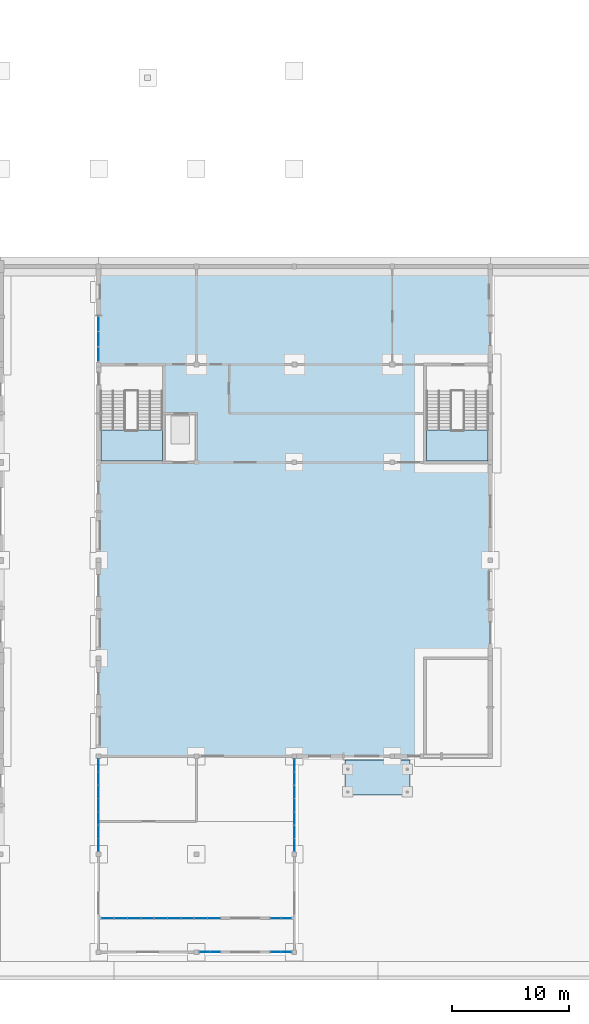
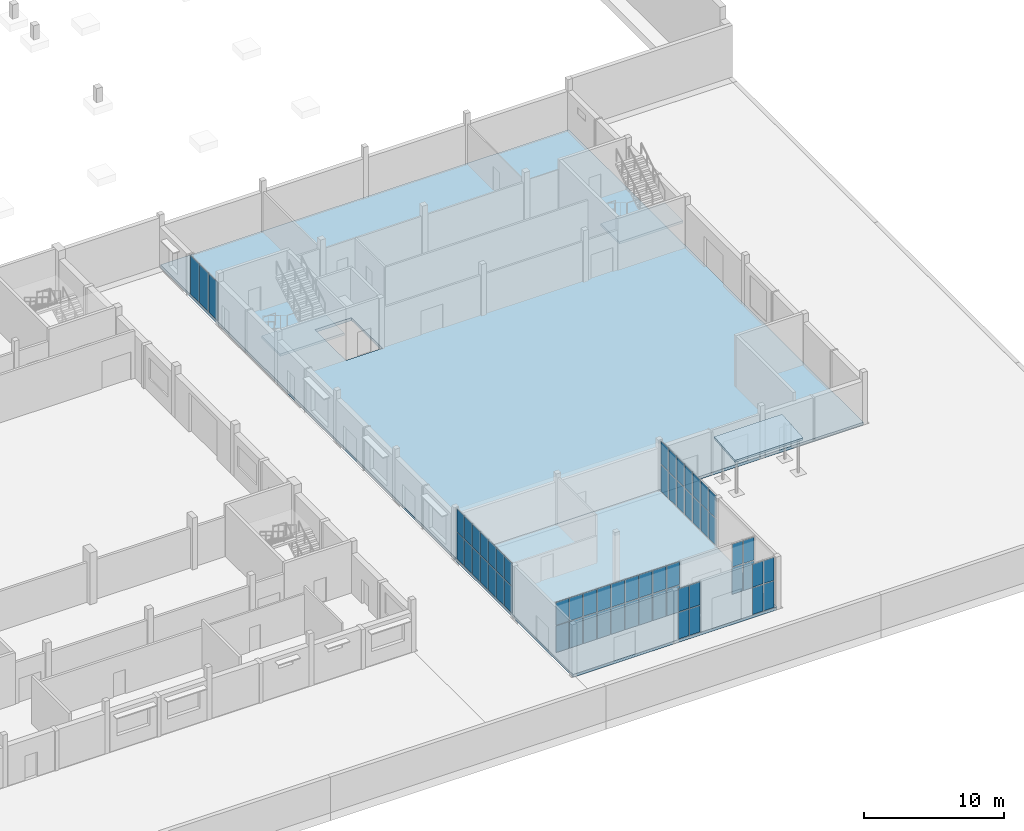
# One storey, part 15 of 36: 61 plates, 5 slabs, 9 elements without a shape of their own.
"""IFC4 building model written with IfcOpenShell, lengths in metres."""

from ifc_helpers import new_model, si_unit, direction, frame, origin, origin_2d, place, context, subcontext, project, spatial, polyline, rectangle, outline, extrude, material, layer, layer_set, type_object, element, aggregate, save


model = new_model("IFC4")

# Units and contexts
model_context = context("Model", 3, precision=1e-05, world=origin(), true_north=direction((0.0, 1.0)))
body_context = subcontext(model_context, "Body", "Model", "MODEL_VIEW")
ifc_project = project(units=[si_unit("LENGTHUNIT", "METRE"), si_unit("AREAUNIT", "SQUARE_METRE"), si_unit("VOLUMEUNIT", "CUBIC_METRE"), si_unit("PLANEANGLEUNIT", "RADIAN"), si_unit("MASSUNIT", "GRAM", prefix="KILO")], contexts=[model_context])

# Site, building, storey
site_placement = place(None, origin())
site = spatial("IfcSite", under=ifc_project, at=site_placement, CompositionType="ELEMENT")
building_placement = place(site_placement, origin())
building = spatial("IfcBuilding", under=site, at=building_placement, Name="Fescue Hill Polytechnic", CompositionType="ELEMENT")
storey_placement = place(building_placement, origin())
storey = spatial("IfcBuildingStorey", under=building, at=storey_placement, Name="L00", CompositionType="ELEMENT", Elevation=0.0)

# Slabs
ifc_material_1 = material(Name="Concrete 35 MPa", Category="concrete")
ifc_layer_1 = layer(ifc_material_1, 0.25)
ifc_layer_set_1 = layer_set([ifc_layer_1], Name="Concrete 35 MPa")
slab_type_1 = type_object("IfcSlabType", Name="Base slab 250", PredefinedType="BASESLAB", material=ifc_layer_set_1)
slab_1_placement = place(storey_placement, frame((0.0, 0.0, -0.25)))
element("IfcSlab", 1, at=slab_1_placement, inside=storey, type_object=slab_type_1, Name="SL-L00-V3-1", PredefinedType="BASESLAB", context=body_context, shape_type="SweptSolid", body=[
    extrude(outline(polyline([(126.0, 8.39990234375), (126.0, 50.39990234375), (159.60009765625, 50.39990234375), (159.60009765625, 8.39990234375), (126.0, 8.39990234375)]), holes=[polyline([(134.5, 37.89990234375), (131.5, 37.89990234375), (131.5, 33.5), (134.5, 33.5), (134.5, 37.89990234375)])]), origin(), (0.0, 0.0, 1.0), 0.25),
])
slab_2_placement = place(storey_placement, frame((0.0, 0.0, -0.25)))
element("IfcSlab", 2, at=slab_2_placement, inside=storey, type_object=slab_type_1, Name="SL-L00-V7-1", PredefinedType="BASESLAB", context=body_context, shape_type="SweptSolid", body=[
    extrude(outline(polyline([(142.800048828125, -8.39990234375), (142.800048828125, 8.39990234375), (126.0, 8.39990234375), (126.0, -8.39990234375), (142.800048828125, -8.39990234375)])), origin(), (0.0, 0.0, 1.0), 0.25),
])
ifc_layer_2 = layer(ifc_material_1, 0.199951171875)
ifc_layer_set_2 = layer_set([ifc_layer_2], Name="Concrete 35 MPa")
slab_type_2 = type_object("IfcSlabType", Name="Entrance canopy slab 200", PredefinedType="ROOF", material=ifc_layer_set_2)
slab_3_placement = place(storey_placement, frame((147.1298828125, 8.090087890625, 3.300048828125), z_axis=(0.0, -0.083045479854, 0.996545758245), x_axis=(1.0, 0.0, 0.0)))
element("IfcSlab", 3, at=slab_3_placement, inside=storey, type_object=slab_type_2, Name="Entrance canopy V3", PredefinedType="ROOF", context=body_context, shape_type="SweptSolid", body=[
    extrude(outline(polyline([(0.0, 0.0), (5.60009765625, 0.0), (5.60009765625, -3.010398644698074), (0.0, -3.010398644698074), (0.0, 0.0)])), origin(), (0.0, 0.0, -1.0), 0.199951171875),
])

# Curtain wall, plates
ifc_material_2 = material(Name="Glass", Category="glass")
curtain_wall_type_1 = type_object("IfcCurtainWallType", Name="Curtain wall structural glazing", PredefinedType="NOTDEFINED", material=ifc_material_2)
curtain_wall_1_placement = place(storey_placement, origin())
curtain_wall_1 = element("IfcCurtainWall", 4, at=curtain_wall_1_placement, inside=storey, type_object=curtain_wall_type_1, Name="CW-L00-V7-1", PredefinedType="NOTDEFINED")
ifc_layer_3 = layer(ifc_material_2, 0.028076171875)
ifc_layer_set_3 = layer_set([ifc_layer_3], Name="Glass")
plate_type_1 = type_object("IfcPlateType", Name="Panel glazing 28", PredefinedType="CURTAIN_PANEL", material=ifc_layer_set_3)
plate_1_placement = place(storey_placement, frame((142.800048828125, 0.786376953125, 0.06005859375), z_axis=(0.0, 0.0, 1.0), x_axis=(0.0, 1.0, 0.0)))
plate_1 = element("IfcPlate", 5, at=plate_1_placement, type_object=plate_type_1, Name="CW37 panel 1.1", PredefinedType="CURTAIN_PANEL", context=body_context, shape_type="SweptSolid", body=[
    extrude(rectangle(XDim=1.052978515625, YDim=0.028076171875, at=origin_2d()), origin(), (0.0, 0.0, 1.0), 2.31005859375),
])
plate_2_placement = place(storey_placement, frame((142.800048828125, 0.786376953125, 2.43017578125), z_axis=(0.0, 0.0, 1.0), x_axis=(0.0, 1.0, 0.0)))
plate_2 = element("IfcPlate", 6, at=plate_2_placement, type_object=plate_type_1, Name="CW37 panel 1.2", PredefinedType="CURTAIN_PANEL", context=body_context, shape_type="SweptSolid", body=[
    extrude(rectangle(XDim=1.052978515625, YDim=0.028076171875, at=origin_2d()), origin(), (0.0, 0.0, 1.0), 1.989990234375),
])
plate_3_placement = place(storey_placement, frame((142.800048828125, 1.914306640625, 0.06005859375), z_axis=(0.0, 0.0, 1.0), x_axis=(0.0, 1.0, 0.0)))
plate_3 = element("IfcPlate", 7, at=plate_3_placement, type_object=plate_type_1, Name="CW37 panel 2.1", PredefinedType="CURTAIN_PANEL", context=body_context, shape_type="SweptSolid", body=[
    extrude(rectangle(XDim=1.082763671875, YDim=0.028076171875, at=origin_2d()), origin(), (0.0, 0.0, 1.0), 2.31005859375),
])
plate_4_placement = place(storey_placement, frame((142.800048828125, 1.914306640625, 2.43017578125), z_axis=(0.0, 0.0, 1.0), x_axis=(0.0, 1.0, 0.0)))
plate_4 = element("IfcPlate", 8, at=plate_4_placement, type_object=plate_type_1, Name="CW37 panel 2.2", PredefinedType="CURTAIN_PANEL", context=body_context, shape_type="SweptSolid", body=[
    extrude(rectangle(XDim=1.082763671875, YDim=0.028076171875, at=origin_2d()), origin(), (0.0, 0.0, 1.0), 1.989990234375),
])
plate_5_placement = place(storey_placement, frame((142.800048828125, 3.05712890625, 0.06005859375), z_axis=(0.0, 0.0, 1.0), x_axis=(0.0, 1.0, 0.0)))
plate_5 = element("IfcPlate", 9, at=plate_5_placement, type_object=plate_type_1, Name="CW37 panel 3.1", PredefinedType="CURTAIN_PANEL", context=body_context, shape_type="SweptSolid", body=[
    extrude(rectangle(XDim=1.082763671875, YDim=0.028076171875, at=origin_2d()), origin(), (0.0, 0.0, 1.0), 2.31005859375),
])
plate_6_placement = place(storey_placement, frame((142.800048828125, 3.05712890625, 2.43017578125), z_axis=(0.0, 0.0, 1.0), x_axis=(0.0, 1.0, 0.0)))
plate_6 = element("IfcPlate", 10, at=plate_6_placement, type_object=plate_type_1, Name="CW37 panel 3.2", PredefinedType="CURTAIN_PANEL", context=body_context, shape_type="SweptSolid", body=[
    extrude(rectangle(XDim=1.082763671875, YDim=0.028076171875, at=origin_2d()), origin(), (0.0, 0.0, 1.0), 1.989990234375),
])
plate_7_placement = place(storey_placement, frame((142.800048828125, 4.199951171875, 0.06005859375), z_axis=(0.0, 0.0, 1.0), x_axis=(0.0, 1.0, 0.0)))
plate_7 = element("IfcPlate", 11, at=plate_7_placement, type_object=plate_type_1, Name="CW37 panel 4.1", PredefinedType="CURTAIN_PANEL", context=body_context, shape_type="SweptSolid", body=[
    extrude(rectangle(XDim=1.082763671875, YDim=0.028076171875, at=origin_2d()), origin(), (0.0, 0.0, 1.0), 2.31005859375),
])
plate_8_placement = place(storey_placement, frame((142.800048828125, 4.199951171875, 2.43017578125), z_axis=(0.0, 0.0, 1.0), x_axis=(0.0, 1.0, 0.0)))
plate_8 = element("IfcPlate", 12, at=plate_8_placement, type_object=plate_type_1, Name="CW37 panel 4.2", PredefinedType="CURTAIN_PANEL", context=body_context, shape_type="SweptSolid", body=[
    extrude(rectangle(XDim=1.082763671875, YDim=0.028076171875, at=origin_2d()), origin(), (0.0, 0.0, 1.0), 1.989990234375),
])
plate_9_placement = place(storey_placement, frame((142.800048828125, 5.3427734375, 0.06005859375), z_axis=(0.0, 0.0, 1.0), x_axis=(0.0, 1.0, 0.0)))
plate_9 = element("IfcPlate", 13, at=plate_9_placement, type_object=plate_type_1, Name="CW37 panel 5.1", PredefinedType="CURTAIN_PANEL", context=body_context, shape_type="SweptSolid", body=[
    extrude(rectangle(XDim=1.082763671875, YDim=0.028076171875, at=origin_2d()), origin(), (0.0, 0.0, 1.0), 2.31005859375),
])
plate_10_placement = place(storey_placement, frame((142.800048828125, 5.3427734375, 2.43017578125), z_axis=(0.0, 0.0, 1.0), x_axis=(0.0, 1.0, 0.0)))
plate_10 = element("IfcPlate", 14, at=plate_10_placement, type_object=plate_type_1, Name="CW37 panel 5.2", PredefinedType="CURTAIN_PANEL", context=body_context, shape_type="SweptSolid", body=[
    extrude(rectangle(XDim=1.082763671875, YDim=0.028076171875, at=origin_2d()), origin(), (0.0, 0.0, 1.0), 1.989990234375),
])
plate_11_placement = place(storey_placement, frame((142.800048828125, 6.485595703125, 0.06005859375), z_axis=(0.0, 0.0, 1.0), x_axis=(0.0, 1.0, 0.0)))
plate_11 = element("IfcPlate", 15, at=plate_11_placement, type_object=plate_type_1, Name="CW37 panel 6.1", PredefinedType="CURTAIN_PANEL", context=body_context, shape_type="SweptSolid", body=[
    extrude(rectangle(XDim=1.082763671875, YDim=0.028076171875, at=origin_2d()), origin(), (0.0, 0.0, 1.0), 2.31005859375),
])
plate_12_placement = place(storey_placement, frame((142.800048828125, 6.485595703125, 2.43017578125), z_axis=(0.0, 0.0, 1.0), x_axis=(0.0, 1.0, 0.0)))
plate_12 = element("IfcPlate", 16, at=plate_12_placement, type_object=plate_type_1, Name="CW37 panel 6.2", PredefinedType="CURTAIN_PANEL", context=body_context, shape_type="SweptSolid", body=[
    extrude(rectangle(XDim=1.082763671875, YDim=0.028076171875, at=origin_2d()), origin(), (0.0, 0.0, 1.0), 1.989990234375),
])
plate_13_placement = place(storey_placement, frame((142.800048828125, 7.613525390625, 0.06005859375), z_axis=(0.0, 0.0, 1.0), x_axis=(0.0, 1.0, 0.0)))
plate_13 = element("IfcPlate", 17, at=plate_13_placement, type_object=plate_type_1, Name="CW37 panel 7.1", PredefinedType="CURTAIN_PANEL", context=body_context, shape_type="SweptSolid", body=[
    extrude(rectangle(XDim=1.052978515625, YDim=0.028076171875, at=origin_2d()), origin(), (0.0, 0.0, 1.0), 2.31005859375),
])
plate_14_placement = place(storey_placement, frame((142.800048828125, 7.613525390625, 2.43017578125), z_axis=(0.0, 0.0, 1.0), x_axis=(0.0, 1.0, 0.0)))
plate_14 = element("IfcPlate", 18, at=plate_14_placement, type_object=plate_type_1, Name="CW37 panel 7.2", PredefinedType="CURTAIN_PANEL", context=body_context, shape_type="SweptSolid", body=[
    extrude(rectangle(XDim=1.052978515625, YDim=0.028076171875, at=origin_2d()), origin(), (0.0, 0.0, 1.0), 1.989990234375),
])
aggregate(curtain_wall_1, [plate_1, plate_2, plate_3, plate_4, plate_5, plate_6, plate_7, plate_8, plate_9, plate_10, plate_11, plate_12, plate_13, plate_14])

curtain_wall_2_placement = place(storey_placement, origin())
curtain_wall_2 = element("IfcCurtainWall", 19, at=curtain_wall_2_placement, inside=storey, type_object=curtain_wall_type_1, Name="CW-L00-V7-2", PredefinedType="NOTDEFINED")
plate_15_placement = place(storey_placement, frame((126.0, 7.613525390625, 0.06005859375), z_axis=(0.0, 0.0, 1.0), x_axis=(0.0, -1.0, 0.0)))
plate_15 = element("IfcPlate", 20, at=plate_15_placement, type_object=plate_type_1, Name="CW38 panel 1.1", PredefinedType="CURTAIN_PANEL", context=body_context, shape_type="SweptSolid", body=[
    extrude(rectangle(XDim=1.052978515625, YDim=0.028076171875, at=origin_2d()), origin(), (0.0, 0.0, 1.0), 2.31005859375),
])
plate_16_placement = place(storey_placement, frame((126.0, 7.613525390625, 2.43017578125), z_axis=(0.0, 0.0, 1.0), x_axis=(0.0, -1.0, 0.0)))
plate_16 = element("IfcPlate", 21, at=plate_16_placement, type_object=plate_type_1, Name="CW38 panel 1.2", PredefinedType="CURTAIN_PANEL", context=body_context, shape_type="SweptSolid", body=[
    extrude(rectangle(XDim=1.052978515625, YDim=0.028076171875, at=origin_2d()), origin(), (0.0, 0.0, 1.0), 1.989990234375),
])
plate_17_placement = place(storey_placement, frame((126.0, 6.485595703125, 0.06005859375), z_axis=(0.0, 0.0, 1.0), x_axis=(0.0, -1.0, 0.0)))
plate_17 = element("IfcPlate", 22, at=plate_17_placement, type_object=plate_type_1, Name="CW38 panel 2.1", PredefinedType="CURTAIN_PANEL", context=body_context, shape_type="SweptSolid", body=[
    extrude(rectangle(XDim=1.082763671875, YDim=0.028076171875, at=origin_2d()), origin(), (0.0, 0.0, 1.0), 2.31005859375),
])
plate_18_placement = place(storey_placement, frame((126.0, 6.485595703125, 2.43017578125), z_axis=(0.0, 0.0, 1.0), x_axis=(0.0, -1.0, 0.0)))
plate_18 = element("IfcPlate", 23, at=plate_18_placement, type_object=plate_type_1, Name="CW38 panel 2.2", PredefinedType="CURTAIN_PANEL", context=body_context, shape_type="SweptSolid", body=[
    extrude(rectangle(XDim=1.082763671875, YDim=0.028076171875, at=origin_2d()), origin(), (0.0, 0.0, 1.0), 1.989990234375),
])
plate_19_placement = place(storey_placement, frame((126.0, 5.3427734375, 0.06005859375), z_axis=(0.0, 0.0, 1.0), x_axis=(0.0, -1.0, 0.0)))
plate_19 = element("IfcPlate", 24, at=plate_19_placement, type_object=plate_type_1, Name="CW38 panel 3.1", PredefinedType="CURTAIN_PANEL", context=body_context, shape_type="SweptSolid", body=[
    extrude(rectangle(XDim=1.082763671875, YDim=0.028076171875, at=origin_2d()), origin(), (0.0, 0.0, 1.0), 2.31005859375),
])
plate_20_placement = place(storey_placement, frame((126.0, 5.3427734375, 2.43017578125), z_axis=(0.0, 0.0, 1.0), x_axis=(0.0, -1.0, 0.0)))
plate_20 = element("IfcPlate", 25, at=plate_20_placement, type_object=plate_type_1, Name="CW38 panel 3.2", PredefinedType="CURTAIN_PANEL", context=body_context, shape_type="SweptSolid", body=[
    extrude(rectangle(XDim=1.082763671875, YDim=0.028076171875, at=origin_2d()), origin(), (0.0, 0.0, 1.0), 1.989990234375),
])
plate_21_placement = place(storey_placement, frame((126.0, 4.199951171875, 0.06005859375), z_axis=(0.0, 0.0, 1.0), x_axis=(0.0, -1.0, 0.0)))
plate_21 = element("IfcPlate", 26, at=plate_21_placement, type_object=plate_type_1, Name="CW38 panel 4.1", PredefinedType="CURTAIN_PANEL", context=body_context, shape_type="SweptSolid", body=[
    extrude(rectangle(XDim=1.082763671875, YDim=0.028076171875, at=origin_2d()), origin(), (0.0, 0.0, 1.0), 2.31005859375),
])
plate_22_placement = place(storey_placement, frame((126.0, 4.199951171875, 2.43017578125), z_axis=(0.0, 0.0, 1.0), x_axis=(0.0, -1.0, 0.0)))
plate_22 = element("IfcPlate", 27, at=plate_22_placement, type_object=plate_type_1, Name="CW38 panel 4.2", PredefinedType="CURTAIN_PANEL", context=body_context, shape_type="SweptSolid", body=[
    extrude(rectangle(XDim=1.082763671875, YDim=0.028076171875, at=origin_2d()), origin(), (0.0, 0.0, 1.0), 1.989990234375),
])
plate_23_placement = place(storey_placement, frame((126.0, 3.05712890625, 0.06005859375), z_axis=(0.0, 0.0, 1.0), x_axis=(0.0, -1.0, 0.0)))
plate_23 = element("IfcPlate", 28, at=plate_23_placement, type_object=plate_type_1, Name="CW38 panel 5.1", PredefinedType="CURTAIN_PANEL", context=body_context, shape_type="SweptSolid", body=[
    extrude(rectangle(XDim=1.082763671875, YDim=0.028076171875, at=origin_2d()), origin(), (0.0, 0.0, 1.0), 2.31005859375),
])
plate_24_placement = place(storey_placement, frame((126.0, 3.05712890625, 2.43017578125), z_axis=(0.0, 0.0, 1.0), x_axis=(0.0, -1.0, 0.0)))
plate_24 = element("IfcPlate", 29, at=plate_24_placement, type_object=plate_type_1, Name="CW38 panel 5.2", PredefinedType="CURTAIN_PANEL", context=body_context, shape_type="SweptSolid", body=[
    extrude(rectangle(XDim=1.082763671875, YDim=0.028076171875, at=origin_2d()), origin(), (0.0, 0.0, 1.0), 1.989990234375),
])
plate_25_placement = place(storey_placement, frame((126.0, 1.914306640625, 0.06005859375), z_axis=(0.0, 0.0, 1.0), x_axis=(0.0, -1.0, 0.0)))
plate_25 = element("IfcPlate", 30, at=plate_25_placement, type_object=plate_type_1, Name="CW38 panel 6.1", PredefinedType="CURTAIN_PANEL", context=body_context, shape_type="SweptSolid", body=[
    extrude(rectangle(XDim=1.082763671875, YDim=0.028076171875, at=origin_2d()), origin(), (0.0, 0.0, 1.0), 2.31005859375),
])
plate_26_placement = place(storey_placement, frame((126.0, 1.914306640625, 2.43017578125), z_axis=(0.0, 0.0, 1.0), x_axis=(0.0, -1.0, 0.0)))
plate_26 = element("IfcPlate", 31, at=plate_26_placement, type_object=plate_type_1, Name="CW38 panel 6.2", PredefinedType="CURTAIN_PANEL", context=body_context, shape_type="SweptSolid", body=[
    extrude(rectangle(XDim=1.082763671875, YDim=0.028076171875, at=origin_2d()), origin(), (0.0, 0.0, 1.0), 1.989990234375),
])
plate_27_placement = place(storey_placement, frame((126.0, 0.786376953125, 0.06005859375), z_axis=(0.0, 0.0, 1.0), x_axis=(0.0, -1.0, 0.0)))
plate_27 = element("IfcPlate", 32, at=plate_27_placement, type_object=plate_type_1, Name="CW38 panel 7.1", PredefinedType="CURTAIN_PANEL", context=body_context, shape_type="SweptSolid", body=[
    extrude(rectangle(XDim=1.052978515625, YDim=0.028076171875, at=origin_2d()), origin(), (0.0, 0.0, 1.0), 2.31005859375),
])
plate_28_placement = place(storey_placement, frame((126.0, 0.786376953125, 2.43017578125), z_axis=(0.0, 0.0, 1.0), x_axis=(0.0, -1.0, 0.0)))
plate_28 = element("IfcPlate", 33, at=plate_28_placement, type_object=plate_type_1, Name="CW38 panel 7.2", PredefinedType="CURTAIN_PANEL", context=body_context, shape_type="SweptSolid", body=[
    extrude(rectangle(XDim=1.052978515625, YDim=0.028076171875, at=origin_2d()), origin(), (0.0, 0.0, 1.0), 1.989990234375),
])
aggregate(curtain_wall_2, [plate_15, plate_16, plate_17, plate_18, plate_19, plate_20, plate_21, plate_22, plate_23, plate_24, plate_25, plate_26, plate_27, plate_28])

curtain_wall_3_placement = place(storey_placement, origin())
curtain_wall_3 = element("IfcCurtainWall", 34, at=curtain_wall_3_placement, inside=storey, type_object=curtain_wall_type_1, Name="CW-L00-V7-3", PredefinedType="NOTDEFINED")
plate_29_placement = place(storey_placement, frame((135.090087890625, -8.39990234375, 0.06005859375), z_axis=(0.0, 0.0, 1.0), x_axis=(1.0, 0.0, 0.0)))
plate_29 = element("IfcPlate", 35, at=plate_29_placement, type_object=plate_type_1, Name="CW39 panel 1.1", PredefinedType="CURTAIN_PANEL", context=body_context, shape_type="SweptSolid", body=[
    extrude(rectangle(XDim=0.860107421875, YDim=0.028076171875, at=origin_2d()), origin(), (0.0, 0.0, 1.0), 2.31005859375),
])
plate_30_placement = place(storey_placement, frame((135.090087890625, -8.39990234375, 2.43017578125), z_axis=(0.0, 0.0, 1.0), x_axis=(1.0, 0.0, 0.0)))
plate_30 = element("IfcPlate", 36, at=plate_30_placement, type_object=plate_type_1, Name="CW39 panel 1.2", PredefinedType="CURTAIN_PANEL", context=body_context, shape_type="SweptSolid", body=[
    extrude(rectangle(XDim=0.860107421875, YDim=0.028076171875, at=origin_2d()), origin(), (0.0, 0.0, 1.0), 1.989990234375),
])
plate_31_placement = place(storey_placement, frame((136.010009765625, -8.39990234375, 0.06005859375), z_axis=(0.0, 0.0, 1.0), x_axis=(1.0, 0.0, 0.0)))
plate_31 = element("IfcPlate", 37, at=plate_31_placement, type_object=plate_type_1, Name="CW39 panel 2.1", PredefinedType="CURTAIN_PANEL", context=body_context, shape_type="SweptSolid", body=[
    extrude(rectangle(XDim=0.860107421875, YDim=0.028076171875, at=origin_2d()), origin(), (0.0, 0.0, 1.0), 2.31005859375),
])
plate_32_placement = place(storey_placement, frame((136.010009765625, -8.39990234375, 2.43017578125), z_axis=(0.0, 0.0, 1.0), x_axis=(1.0, 0.0, 0.0)))
plate_32 = element("IfcPlate", 38, at=plate_32_placement, type_object=plate_type_1, Name="CW39 panel 2.2", PredefinedType="CURTAIN_PANEL", context=body_context, shape_type="SweptSolid", body=[
    extrude(rectangle(XDim=0.860107421875, YDim=0.028076171875, at=origin_2d()), origin(), (0.0, 0.0, 1.0), 1.989990234375),
])
aggregate(curtain_wall_3, [plate_29, plate_30, plate_31, plate_32])

curtain_wall_4_placement = place(storey_placement, origin())
curtain_wall_4 = element("IfcCurtainWall", 39, at=curtain_wall_4_placement, inside=storey, type_object=curtain_wall_type_1, Name="CW-L00-V7-4", PredefinedType="NOTDEFINED")
plate_33_placement = place(storey_placement, frame((141.18994140625, -8.39990234375, 0.06005859375), z_axis=(0.0, 0.0, 1.0), x_axis=(1.0, 0.0, 0.0)))
plate_33 = element("IfcPlate", 40, at=plate_33_placement, type_object=plate_type_1, Name="CW40 panel 1.1", PredefinedType="CURTAIN_PANEL", context=body_context, shape_type="SweptSolid", body=[
    extrude(rectangle(XDim=0.860107421875, YDim=0.028076171875, at=origin_2d()), origin(), (0.0, 0.0, 1.0), 2.31005859375),
])
plate_34_placement = place(storey_placement, frame((141.18994140625, -8.39990234375, 2.43017578125), z_axis=(0.0, 0.0, 1.0), x_axis=(1.0, 0.0, 0.0)))
plate_34 = element("IfcPlate", 41, at=plate_34_placement, type_object=plate_type_1, Name="CW40 panel 1.2", PredefinedType="CURTAIN_PANEL", context=body_context, shape_type="SweptSolid", body=[
    extrude(rectangle(XDim=0.860107421875, YDim=0.028076171875, at=origin_2d()), origin(), (0.0, 0.0, 1.0), 1.989990234375),
])
plate_35_placement = place(storey_placement, frame((142.110107421875, -8.39990234375, 0.06005859375), z_axis=(0.0, 0.0, 1.0), x_axis=(1.0, 0.0, 0.0)))
plate_35 = element("IfcPlate", 42, at=plate_35_placement, type_object=plate_type_1, Name="CW40 panel 2.1", PredefinedType="CURTAIN_PANEL", context=body_context, shape_type="SweptSolid", body=[
    extrude(rectangle(XDim=0.860107421875, YDim=0.028076171875, at=origin_2d()), origin(), (0.0, 0.0, 1.0), 2.31005859375),
])
plate_36_placement = place(storey_placement, frame((142.110107421875, -8.39990234375, 2.43017578125), z_axis=(0.0, 0.0, 1.0), x_axis=(1.0, 0.0, 0.0)))
plate_36 = element("IfcPlate", 43, at=plate_36_placement, type_object=plate_type_1, Name="CW40 panel 2.2", PredefinedType="CURTAIN_PANEL", context=body_context, shape_type="SweptSolid", body=[
    extrude(rectangle(XDim=0.860107421875, YDim=0.028076171875, at=origin_2d()), origin(), (0.0, 0.0, 1.0), 1.989990234375),
])
aggregate(curtain_wall_4, [plate_33, plate_34, plate_35, plate_36])

curtain_wall_5_placement = place(storey_placement, origin())
curtain_wall_5 = element("IfcCurtainWall", 44, at=curtain_wall_5_placement, inside=storey, type_object=curtain_wall_type_1, Name="CW-L00-V3-X1", PredefinedType="NOTDEFINED")
plate_37_placement = place(storey_placement, frame((126.0, 45.46826171875, 0.06005859375), z_axis=(0.0, 0.0, 1.0), x_axis=(0.0, -1.0, 0.0)))
plate_37 = element("IfcPlate", 45, at=plate_37_placement, type_object=plate_type_1, Name="CW115 panel 1.1", PredefinedType="CURTAIN_PANEL", context=body_context, shape_type="SweptSolid", body=[
    extrude(rectangle(XDim=1.223388671875, YDim=0.028076171875, at=origin_2d()), origin(), (0.0, 0.0, 1.0), 3.360107421875),
])
plate_38_placement = place(storey_placement, frame((126.0, 44.169921875, 0.06005859375), z_axis=(0.0, 0.0, 1.0), x_axis=(0.0, -1.0, 0.0)))
plate_38 = element("IfcPlate", 46, at=plate_38_placement, type_object=plate_type_1, Name="CW115 panel 2.1", PredefinedType="CURTAIN_PANEL", context=body_context, shape_type="SweptSolid", body=[
    extrude(rectangle(XDim=1.25341796875, YDim=0.028076171875, at=origin_2d()), origin(), (0.0, 0.0, 1.0), 3.360107421875),
])
plate_39_placement = place(storey_placement, frame((126.0, 42.87158203125, 0.06005859375), z_axis=(0.0, 0.0, 1.0), x_axis=(0.0, -1.0, 0.0)))
plate_39 = element("IfcPlate", 47, at=plate_39_placement, type_object=plate_type_1, Name="CW115 panel 3.1", PredefinedType="CURTAIN_PANEL", context=body_context, shape_type="SweptSolid", body=[
    extrude(rectangle(XDim=1.223388671875, YDim=0.028076171875, at=origin_2d()), origin(), (0.0, 0.0, 1.0), 3.360107421875),
])
aggregate(curtain_wall_5, [plate_37, plate_38, plate_39])

curtain_wall_type_2 = type_object("IfcCurtainWallType", Name="Curtain wall vestibule glazing", PredefinedType="NOTDEFINED", material=ifc_material_2)
curtain_wall_6_placement = place(storey_placement, origin())
curtain_wall_6 = element("IfcCurtainWall", 48, at=curtain_wall_6_placement, inside=storey, type_object=curtain_wall_type_2, Name="CW-L00-V7-X1", PredefinedType="NOTDEFINED")
ifc_layer_4 = layer(ifc_material_2, 0.028076171875)
ifc_layer_set_4 = layer_set([ifc_layer_4], Name="Glass")
plate_type_2 = type_object("IfcPlateType", Name="Panel glazing 28 internal", PredefinedType="CURTAIN_PANEL", material=ifc_layer_set_4)
plate_40_placement = place(storey_placement, frame((126.787109375, -5.5, 0.06005859375), z_axis=(0.0, 0.0, 1.0), x_axis=(1.0, 0.0, 0.0)))
plate_40 = element("IfcPlate", 49, at=plate_40_placement, type_object=plate_type_2, Name="CW113 panel 1.1", PredefinedType="CURTAIN_PANEL", context=body_context, shape_type="SweptSolid", body=[
    extrude(rectangle(XDim=1.054443359375, YDim=0.028076171875, at=origin_2d()), origin(), (0.0, 0.0, 1.0), 2.31005859375),
])
plate_41_placement = place(storey_placement, frame((126.787109375, -5.5, 2.43017578125), z_axis=(0.0, 0.0, 1.0), x_axis=(1.0, 0.0, 0.0)))
plate_41 = element("IfcPlate", 50, at=plate_41_placement, type_object=plate_type_2, Name="CW113 panel 1.2", PredefinedType="CURTAIN_PANEL", context=body_context, shape_type="SweptSolid", body=[
    extrude(rectangle(XDim=1.054443359375, YDim=0.028076171875, at=origin_2d()), origin(), (0.0, 0.0, 1.0), 1.989990234375),
])
plate_42_placement = place(storey_placement, frame((127.916748046875, -5.5, 0.06005859375), z_axis=(0.0, 0.0, 1.0), x_axis=(1.0, 0.0, 0.0)))
plate_42 = element("IfcPlate", 51, at=plate_42_placement, type_object=plate_type_2, Name="CW113 panel 2.1", PredefinedType="CURTAIN_PANEL", context=body_context, shape_type="SweptSolid", body=[
    extrude(rectangle(XDim=1.08447265625, YDim=0.028076171875, at=origin_2d()), origin(), (0.0, 0.0, 1.0), 2.31005859375),
])
plate_43_placement = place(storey_placement, frame((127.916748046875, -5.5, 2.43017578125), z_axis=(0.0, 0.0, 1.0), x_axis=(1.0, 0.0, 0.0)))
plate_43 = element("IfcPlate", 52, at=plate_43_placement, type_object=plate_type_2, Name="CW113 panel 2.2", PredefinedType="CURTAIN_PANEL", context=body_context, shape_type="SweptSolid", body=[
    extrude(rectangle(XDim=1.08447265625, YDim=0.028076171875, at=origin_2d()), origin(), (0.0, 0.0, 1.0), 1.989990234375),
])
plate_44_placement = place(storey_placement, frame((129.06103515625, -5.5, 0.06005859375), z_axis=(0.0, 0.0, 1.0), x_axis=(1.0, 0.0, 0.0)))
plate_44 = element("IfcPlate", 53, at=plate_44_placement, type_object=plate_type_2, Name="CW113 panel 3.1", PredefinedType="CURTAIN_PANEL", context=body_context, shape_type="SweptSolid", body=[
    extrude(rectangle(XDim=1.08447265625, YDim=0.028076171875, at=origin_2d()), origin(), (0.0, 0.0, 1.0), 2.31005859375),
])
plate_45_placement = place(storey_placement, frame((129.06103515625, -5.5, 2.43017578125), z_axis=(0.0, 0.0, 1.0), x_axis=(1.0, 0.0, 0.0)))
plate_45 = element("IfcPlate", 54, at=plate_45_placement, type_object=plate_type_2, Name="CW113 panel 3.2", PredefinedType="CURTAIN_PANEL", context=body_context, shape_type="SweptSolid", body=[
    extrude(rectangle(XDim=1.08447265625, YDim=0.028076171875, at=origin_2d()), origin(), (0.0, 0.0, 1.0), 1.989990234375),
])
plate_46_placement = place(storey_placement, frame((130.20556640625, -5.5, 0.06005859375), z_axis=(0.0, 0.0, 1.0), x_axis=(1.0, 0.0, 0.0)))
plate_46 = element("IfcPlate", 55, at=plate_46_placement, type_object=plate_type_2, Name="CW113 panel 4.1", PredefinedType="CURTAIN_PANEL", context=body_context, shape_type="SweptSolid", body=[
    extrude(rectangle(XDim=1.08447265625, YDim=0.028076171875, at=origin_2d()), origin(), (0.0, 0.0, 1.0), 2.31005859375),
])
plate_47_placement = place(storey_placement, frame((130.20556640625, -5.5, 2.43017578125), z_axis=(0.0, 0.0, 1.0), x_axis=(1.0, 0.0, 0.0)))
plate_47 = element("IfcPlate", 56, at=plate_47_placement, type_object=plate_type_2, Name="CW113 panel 4.2", PredefinedType="CURTAIN_PANEL", context=body_context, shape_type="SweptSolid", body=[
    extrude(rectangle(XDim=1.08447265625, YDim=0.028076171875, at=origin_2d()), origin(), (0.0, 0.0, 1.0), 1.989990234375),
])
plate_48_placement = place(storey_placement, frame((131.35009765625, -5.5, 0.06005859375), z_axis=(0.0, 0.0, 1.0), x_axis=(1.0, 0.0, 0.0)))
plate_48 = element("IfcPlate", 57, at=plate_48_placement, type_object=plate_type_2, Name="CW113 panel 5.1", PredefinedType="CURTAIN_PANEL", context=body_context, shape_type="SweptSolid", body=[
    extrude(rectangle(XDim=1.08447265625, YDim=0.028076171875, at=origin_2d()), origin(), (0.0, 0.0, 1.0), 2.31005859375),
])
plate_49_placement = place(storey_placement, frame((131.35009765625, -5.5, 2.43017578125), z_axis=(0.0, 0.0, 1.0), x_axis=(1.0, 0.0, 0.0)))
plate_49 = element("IfcPlate", 58, at=plate_49_placement, type_object=plate_type_2, Name="CW113 panel 5.2", PredefinedType="CURTAIN_PANEL", context=body_context, shape_type="SweptSolid", body=[
    extrude(rectangle(XDim=1.08447265625, YDim=0.028076171875, at=origin_2d()), origin(), (0.0, 0.0, 1.0), 1.989990234375),
])
plate_50_placement = place(storey_placement, frame((132.494384765625, -5.5, 0.06005859375), z_axis=(0.0, 0.0, 1.0), x_axis=(1.0, 0.0, 0.0)))
plate_50 = element("IfcPlate", 59, at=plate_50_placement, type_object=plate_type_2, Name="CW113 panel 6.1", PredefinedType="CURTAIN_PANEL", context=body_context, shape_type="SweptSolid", body=[
    extrude(rectangle(XDim=1.08447265625, YDim=0.028076171875, at=origin_2d()), origin(), (0.0, 0.0, 1.0), 2.31005859375),
])
plate_51_placement = place(storey_placement, frame((132.494384765625, -5.5, 2.43017578125), z_axis=(0.0, 0.0, 1.0), x_axis=(1.0, 0.0, 0.0)))
plate_51 = element("IfcPlate", 60, at=plate_51_placement, type_object=plate_type_2, Name="CW113 panel 6.2", PredefinedType="CURTAIN_PANEL", context=body_context, shape_type="SweptSolid", body=[
    extrude(rectangle(XDim=1.08447265625, YDim=0.028076171875, at=origin_2d()), origin(), (0.0, 0.0, 1.0), 1.989990234375),
])
plate_52_placement = place(storey_placement, frame((133.638916015625, -5.5, 0.06005859375), z_axis=(0.0, 0.0, 1.0), x_axis=(1.0, 0.0, 0.0)))
plate_52 = element("IfcPlate", 61, at=plate_52_placement, type_object=plate_type_2, Name="CW113 panel 7.1", PredefinedType="CURTAIN_PANEL", context=body_context, shape_type="SweptSolid", body=[
    extrude(rectangle(XDim=1.08447265625, YDim=0.028076171875, at=origin_2d()), origin(), (0.0, 0.0, 1.0), 2.31005859375),
])
plate_53_placement = place(storey_placement, frame((133.638916015625, -5.5, 2.43017578125), z_axis=(0.0, 0.0, 1.0), x_axis=(1.0, 0.0, 0.0)))
plate_53 = element("IfcPlate", 62, at=plate_53_placement, type_object=plate_type_2, Name="CW113 panel 7.2", PredefinedType="CURTAIN_PANEL", context=body_context, shape_type="SweptSolid", body=[
    extrude(rectangle(XDim=1.08447265625, YDim=0.028076171875, at=origin_2d()), origin(), (0.0, 0.0, 1.0), 1.989990234375),
])
plate_54_placement = place(storey_placement, frame((134.783447265625, -5.5, 0.06005859375), z_axis=(0.0, 0.0, 1.0), x_axis=(1.0, 0.0, 0.0)))
plate_54 = element("IfcPlate", 63, at=plate_54_placement, type_object=plate_type_2, Name="CW113 panel 8.1", PredefinedType="CURTAIN_PANEL", context=body_context, shape_type="SweptSolid", body=[
    extrude(rectangle(XDim=1.08447265625, YDim=0.028076171875, at=origin_2d()), origin(), (0.0, 0.0, 1.0), 2.31005859375),
])
plate_55_placement = place(storey_placement, frame((134.783447265625, -5.5, 2.43017578125), z_axis=(0.0, 0.0, 1.0), x_axis=(1.0, 0.0, 0.0)))
plate_55 = element("IfcPlate", 64, at=plate_55_placement, type_object=plate_type_2, Name="CW113 panel 8.2", PredefinedType="CURTAIN_PANEL", context=body_context, shape_type="SweptSolid", body=[
    extrude(rectangle(XDim=1.08447265625, YDim=0.028076171875, at=origin_2d()), origin(), (0.0, 0.0, 1.0), 1.989990234375),
])
plate_56_placement = place(storey_placement, frame((135.912841796875, -5.5, 0.06005859375), z_axis=(0.0, 0.0, 1.0), x_axis=(1.0, 0.0, 0.0)))
plate_56 = element("IfcPlate", 65, at=plate_56_placement, type_object=plate_type_2, Name="CW113 panel 9.1", PredefinedType="CURTAIN_PANEL", context=body_context, shape_type="SweptSolid", body=[
    extrude(rectangle(XDim=1.054443359375, YDim=0.028076171875, at=origin_2d()), origin(), (0.0, 0.0, 1.0), 2.31005859375),
])
plate_57_placement = place(storey_placement, frame((135.912841796875, -5.5, 2.43017578125), z_axis=(0.0, 0.0, 1.0), x_axis=(1.0, 0.0, 0.0)))
plate_57 = element("IfcPlate", 66, at=plate_57_placement, type_object=plate_type_2, Name="CW113 panel 9.2", PredefinedType="CURTAIN_PANEL", context=body_context, shape_type="SweptSolid", body=[
    extrude(rectangle(XDim=1.054443359375, YDim=0.028076171875, at=origin_2d()), origin(), (0.0, 0.0, 1.0), 1.989990234375),
])
aggregate(curtain_wall_6, [plate_40, plate_41, plate_42, plate_43, plate_44, plate_45, plate_46, plate_47, plate_48, plate_49, plate_50, plate_51, plate_52, plate_53, plate_54, plate_55, plate_56, plate_57])

curtain_wall_7_placement = place(storey_placement, origin())
curtain_wall_7 = element("IfcCurtainWall", 67, at=curtain_wall_7_placement, inside=storey, type_object=curtain_wall_type_2, Name="CW-L00-V7-X2", PredefinedType="NOTDEFINED")
plate_58_placement = place(storey_placement, frame((141.18994140625, -5.5, 0.06005859375), z_axis=(0.0, 0.0, 1.0), x_axis=(1.0, 0.0, 0.0)))
plate_58 = element("IfcPlate", 68, at=plate_58_placement, type_object=plate_type_2, Name="CW114 panel 1.1", PredefinedType="CURTAIN_PANEL", context=body_context, shape_type="SweptSolid", body=[
    extrude(rectangle(XDim=0.860107421875, YDim=0.028076171875, at=origin_2d()), origin(), (0.0, 0.0, 1.0), 2.31005859375),
])
plate_59_placement = place(storey_placement, frame((141.18994140625, -5.5, 2.43017578125), z_axis=(0.0, 0.0, 1.0), x_axis=(1.0, 0.0, 0.0)))
plate_59 = element("IfcPlate", 69, at=plate_59_placement, type_object=plate_type_2, Name="CW114 panel 1.2", PredefinedType="CURTAIN_PANEL", context=body_context, shape_type="SweptSolid", body=[
    extrude(rectangle(XDim=0.860107421875, YDim=0.028076171875, at=origin_2d()), origin(), (0.0, 0.0, 1.0), 1.989990234375),
])
plate_60_placement = place(storey_placement, frame((142.110107421875, -5.5, 0.06005859375), z_axis=(0.0, 0.0, 1.0), x_axis=(1.0, 0.0, 0.0)))
plate_60 = element("IfcPlate", 70, at=plate_60_placement, type_object=plate_type_2, Name="CW114 panel 2.1", PredefinedType="CURTAIN_PANEL", context=body_context, shape_type="SweptSolid", body=[
    extrude(rectangle(XDim=0.860107421875, YDim=0.028076171875, at=origin_2d()), origin(), (0.0, 0.0, 1.0), 2.31005859375),
])
plate_61_placement = place(storey_placement, frame((142.110107421875, -5.5, 2.43017578125), z_axis=(0.0, 0.0, 1.0), x_axis=(1.0, 0.0, 0.0)))
plate_61 = element("IfcPlate", 71, at=plate_61_placement, type_object=plate_type_2, Name="CW114 panel 2.2", PredefinedType="CURTAIN_PANEL", context=body_context, shape_type="SweptSolid", body=[
    extrude(rectangle(XDim=0.860107421875, YDim=0.028076171875, at=origin_2d()), origin(), (0.0, 0.0, 1.0), 1.989990234375),
])
aggregate(curtain_wall_7, [plate_58, plate_59, plate_60, plate_61])

# Stair, slab
stair_type = type_object("IfcStairType", Name="Half-turn stair 2150 flights", PredefinedType="HALF_TURN_STAIR", material=ifc_material_1)
stair_1_placement = place(storey_placement, origin())
stair_1 = element("IfcStair", 72, at=stair_1_placement, inside=storey, type_object=stair_type, Name="L00 ST-V3-1 stair", PredefinedType="HALF_TURN_STAIR")
ifc_layer_5 = layer(ifc_material_1, 0.199951171875)
ifc_layer_set_5 = layer_set([ifc_layer_5], Name="Concrete 35 MPa")
slab_type_3 = type_object("IfcSlabType", Name="Stair landing slab 200", PredefinedType="LANDING", material=ifc_layer_set_5)
slab_4_placement = place(storey_placement, frame((0.0, 0.0, 2.050048828125)))
slab_4 = element("IfcSlab", 73, at=slab_4_placement, type_object=slab_type_3, Name="S11 landing 1", PredefinedType="LANDING", context=body_context, shape_type="SweptSolid", body=[
    extrude(outline(polyline([(126.2099609375, 33.72509765625), (131.5, 33.72509765625), (131.5, 36.364990234375), (126.2099609375, 36.364990234375), (126.2099609375, 33.72509765625)])), origin(), (0.0, 0.0, 1.0), 0.199951171875),
])
aggregate(stair_1, [slab_4])

stair_2_placement = place(storey_placement, origin())
stair_2 = element("IfcStair", 74, at=stair_2_placement, inside=storey, type_object=stair_type, Name="L00 ST-V3-2 stair", PredefinedType="HALF_TURN_STAIR")
slab_5_placement = place(storey_placement, frame((0.0, 0.0, 2.050048828125)))
slab_5 = element("IfcSlab", 75, at=slab_5_placement, type_object=slab_type_3, Name="S12 landing 1", PredefinedType="LANDING", context=body_context, shape_type="SweptSolid", body=[
    extrude(outline(polyline([(154.125, 33.72509765625), (159.389892578125, 33.72509765625), (159.389892578125, 36.364990234375), (154.125, 36.364990234375), (154.125, 33.72509765625)])), origin(), (0.0, 0.0, 1.0), 0.199951171875),
])
aggregate(stair_2, [slab_5])

save(model, "model.ifc")
